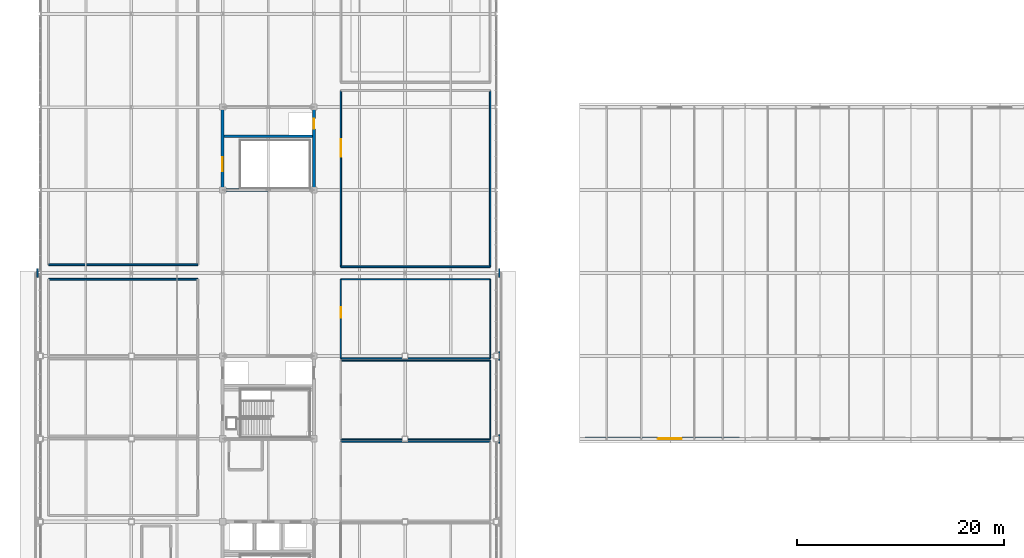
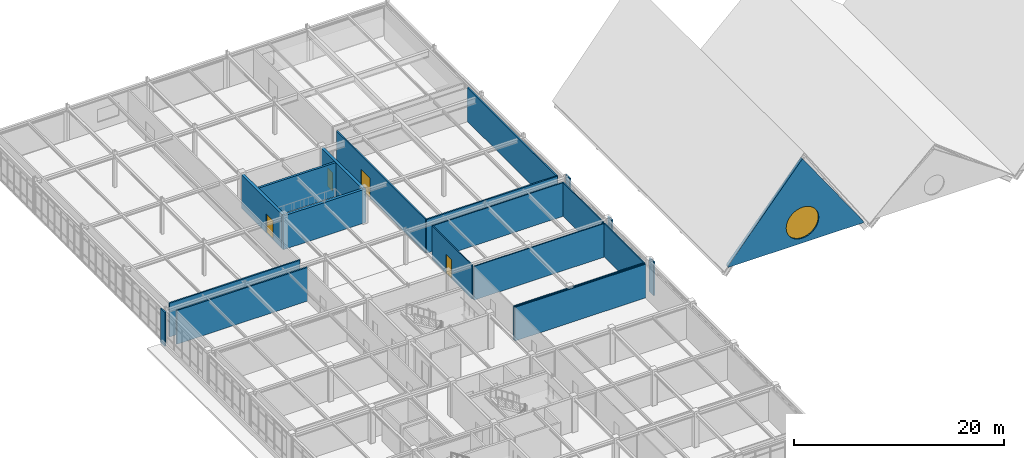
# One storey, part 55 of 64: 22 walls, 4 doors, 1 window, 5 openings.
"""IFC4 building model written with IfcOpenShell, lengths in metres."""

import ifcopenshell
import ifcopenshell.guid

model = None  # the IFC model being written
_history = None  # IfcOwnerHistory: only IFC2X3 demands one
_inside = {}  # id of a spatial element -> (the spatial element, [elements in it])
_under = {}  # id of a project, library or spatial element -> (it, [spatial elements below it])
_declared = {}  # id of a project -> (the project, [libraries it declares])
_typed = {}  # id of a type object -> (the type object, [elements of that type])
_made_of = {}  # id of a material, layer set ... -> (it, [elements and type objects made of it])


def new_model(schema):
    """Start an empty IFC model of exactly this schema.

    Asked for "IFC4X3", IfcOpenShell would pick the latest addendum, in which some entities
    have other attributes; the version numbers below select the first issue.
    IFC2X3 requires an IfcOwnerHistory on every rooted entity: one is made here for all.
    """
    global model, _history
    if schema == "IFC4X3":
        model = ifcopenshell.file(schema_version=(4, 3, 0, 0))
    else:
        model = ifcopenshell.file(schema=schema)
    _inside.clear()
    _under.clear()
    _declared.clear()
    _typed.clear()
    _made_of.clear()
    _history = None
    if model.schema == "IFC2X3":
        org = make("IfcOrganization", Name="unknown")
        user = make(
            "IfcPersonAndOrganization",
            ThePerson=make("IfcPerson", FamilyName="unknown"),
            TheOrganization=org,
        )
        app = make(
            "IfcApplication",
            ApplicationDeveloper=org,
            Version="unknown",
            ApplicationFullName="unknown",
            ApplicationIdentifier="unknown",
        )
        _history = make(
            "IfcOwnerHistory",
            OwningUser=user,
            OwningApplication=app,
            ChangeAction="ADDED",
            CreationDate=0,
        )
    return model


def make(cls, **values):
    """One entity of the class cls with the attributes given. An attribute that is None is left unset."""
    return model.create_entity(
        cls, **{name: value for name, value in values.items() if value is not None}
    )


def rooted(cls, **values):
    """An entity with a GlobalId (a new one), such as an element, a storey or a relation."""
    return make(cls, GlobalId=ifcopenshell.guid.new(), OwnerHistory=_history, **values)


def si_unit(unit_type, name, prefix=None):
    """IfcSIUnit, for example si_unit("LENGTHUNIT", "METRE", prefix="MILLI")."""
    return make("IfcSIUnit", UnitType=unit_type, Prefix=prefix, Name=name)


def assignment(units):
    """IfcUnitAssignment: the units of a project."""
    return None if units is None else make("IfcUnitAssignment", Units=units)


def point(xyz):
    """IfcCartesianPoint."""
    return None if xyz is None else make("IfcCartesianPoint", Coordinates=xyz)


def direction(xyz):
    """IfcDirection."""
    return None if xyz is None else make("IfcDirection", DirectionRatios=xyz)


def frame(location, z_axis=None, x_axis=None):
    """IfcAxis2Placement3D, a coordinate frame: its origin and axes. An axis left out is left unset."""
    return make(
        "IfcAxis2Placement3D",
        Location=point(location),
        Axis=direction(z_axis),
        RefDirection=direction(x_axis),
    )


def frame_2d(location, x_axis=None):
    """IfcAxis2Placement2D, a coordinate frame in the plane: its origin and x axis."""
    return make(
        "IfcAxis2Placement2D", Location=point(location), RefDirection=direction(x_axis)
    )


def origin():
    """The frame at (0, 0, 0) with its axes left unset."""
    return frame((0.0, 0.0, 0.0))


def place(relative_to, where):
    """IfcLocalPlacement: puts the frame where relative to a parent placement (None: the world)."""
    return make(
        "IfcLocalPlacement", PlacementRelTo=relative_to, RelativePlacement=where
    )


def context(
    kind, dimensions, precision=None, world=None, true_north=None, identifier=None
):
    """IfcGeometricRepresentationContext, for example the 3D "Model" context."""
    return make(
        "IfcGeometricRepresentationContext",
        ContextIdentifier=identifier,
        ContextType=kind,
        CoordinateSpaceDimension=dimensions,
        Precision=precision,
        WorldCoordinateSystem=world,
        TrueNorth=true_north,
    )


def subcontext(parent, identifier, kind, view, scale=None):
    """IfcGeometricRepresentationSubContext, for example "Body" below "Model"."""
    return make(
        "IfcGeometricRepresentationSubContext",
        ContextIdentifier=identifier,
        ContextType=kind,
        ParentContext=parent,
        TargetScale=scale,
        TargetView=view,
    )


def project(units=None, contexts=None):
    """IfcProject with its units and contexts."""
    return rooted(
        "IfcProject",
        Name="project",
        RepresentationContexts=contexts,
        UnitsInContext=assignment(units),
    )


def spatial(cls, under=None, at=None, **own):
    """A site, building, storey or space (cls), placed at a placement, below another one or the project."""
    s = rooted(cls, ObjectPlacement=at, **own)
    if under is not None:
        _under.setdefault(under.id(), (under, []))[1].append(s)
    return s


def polyline(points):
    """IfcPolyline through the points."""
    return make("IfcPolyline", Points=[point(p) for p in points])


def profile(cls, at=None, kind="AREA", **sizes):
    """A parametric profile (cls). Its sizes go by their IFC names, for example OverallWidth=200.0."""
    return make(cls, ProfileType=kind, Position=at, **sizes)


def rectangle(**sizes):
    """IfcRectangleProfileDef."""
    return profile("IfcRectangleProfileDef", **sizes)


def outline(outer, holes=None, kind="AREA"):
    """IfcArbitraryClosedProfileDef: a profile drawn as a closed curve; with holes, ...WithVoids."""
    if holes is None:
        return make("IfcArbitraryClosedProfileDef", ProfileType=kind, OuterCurve=outer)
    return make(
        "IfcArbitraryProfileDefWithVoids",
        ProfileType=kind,
        OuterCurve=outer,
        InnerCurves=holes,
    )


def extrude(swept, where, along, depth):
    """IfcExtrudedAreaSolid: the profile swept, set in the frame where, extruded along a direction by depth."""
    return make(
        "IfcExtrudedAreaSolid",
        SweptArea=swept,
        Position=where,
        ExtrudedDirection=direction(along),
        Depth=depth,
    )


def shape(context_of_items, identifier, shape_type, items):
    """IfcShapeRepresentation: the items that make up one representation, for example the "Body"."""
    return make(
        "IfcShapeRepresentation",
        ContextOfItems=context_of_items,
        RepresentationIdentifier=identifier,
        RepresentationType=shape_type,
        Items=items,
    )


def material(Name=None, Category=None):
    """IfcMaterial."""
    return make("IfcMaterial", Name=Name, Category=Category)


def layer(
    of_material, thickness, ventilated=None, Name=None, Category=None, Priority=None
):
    """IfcMaterialLayer: one layer of a wall or slab, of a material (None: an air gap)."""
    return make(
        "IfcMaterialLayer",
        Material=of_material,
        LayerThickness=thickness,
        IsVentilated=ventilated,
        Name=Name,
        Category=Category,
        Priority=Priority,
    )


def layer_set(layers, Name=None):
    """IfcMaterialLayerSet."""
    return make("IfcMaterialLayerSet", MaterialLayers=layers, LayerSetName=Name)


def made_of(thing, what):
    """Note that an element or type object is made of a material, layer set ...; save() writes the relation."""
    if what is not None:
        _made_of.setdefault(what.id(), (what, []))[1].append(thing)
    return thing


def type_object(cls, material=None, **own):
    """A type object (cls), such as IfcWallType, which elements share."""
    return made_of(rooted(cls, **own), material)


def element(
    cls,
    number,
    at=None,
    inside=None,
    cuts=None,
    type_object=None,
    material=None,
    context=None,
    identifier="Body",
    shape_type=None,
    held_by="IfcProductDefinitionShape",
    body=None,
    shapes=None,
    **own,
):
    """One element of the class cls, such as IfcWall. Its Tag is "e" and its number.

    at: its placement. inside: the storey or other place that contains it. cuts: it is an
    opening in that element (IfcRelVoidsElement). A single representation is given by context,
    identifier, shape_type and body (its items); several are given by shapes. held_by: the class
    of the entity that holds the representations. save() writes the other relations.
    """
    e = rooted(cls, Tag="e%d" % number, ObjectPlacement=at, **own)
    if body is not None:
        shapes = [shape(context, identifier, shape_type, body)]
    if shapes is not None:
        e.Representation = make(held_by, Representations=shapes)
    if inside is not None:
        _inside.setdefault(inside.id(), (inside, []))[1].append(e)
    if cuts is not None:
        rooted(
            "IfcRelVoidsElement", RelatingBuildingElement=cuts, RelatedOpeningElement=e
        )
    if type_object is not None:
        _typed.setdefault(type_object.id(), (type_object, []))[1].append(e)
    return made_of(e, material)


def fill(opening, filler):
    """IfcRelFillsElement: the door or window that sits in an opening."""
    return rooted(
        "IfcRelFillsElement",
        RelatingOpeningElement=opening,
        RelatedBuildingElement=filler,
    )


def aggregate(whole, parts):
    """IfcRelAggregates: a whole, such as a stair, and the parts it consists of."""
    return rooted("IfcRelAggregates", RelatingObject=whole, RelatedObjects=parts)


def save(model, path):
    """Write the relations noted so far, then the file.

    IfcRelAggregates (storeys below a building ...), IfcRelContainedInSpatialStructure (elements
    in a storey), IfcRelDefinesByType, IfcRelAssociatesMaterial and IfcRelDeclares: one each for
    every whole, place, type object, material and project.
    """
    for whole, parts in _under.values():
        aggregate(whole, parts)
    for where, things in _inside.values():
        rooted(
            "IfcRelContainedInSpatialStructure",
            RelatedElements=things,
            RelatingStructure=where,
        )
    for kind, things in _typed.values():
        rooted("IfcRelDefinesByType", RelatedObjects=things, RelatingType=kind)
    for what, things in _made_of.values():
        rooted("IfcRelAssociatesMaterial", RelatedObjects=things, RelatingMaterial=what)
    for by, libraries in _declared.values():
        rooted("IfcRelDeclares", RelatingContext=by, RelatedDefinitions=libraries)
    model.write(path)


model = new_model("IFC4")

# Units and contexts
model_context = context("Model", 3, precision=1e-05, world=origin(), true_north=direction((0.0, 1.0)))
body_context = subcontext(model_context, "Body", "Model", "MODEL_VIEW")
ifc_project = project(units=[si_unit("LENGTHUNIT", "METRE"), si_unit("AREAUNIT", "SQUARE_METRE"), si_unit("VOLUMEUNIT", "CUBIC_METRE"), si_unit("PLANEANGLEUNIT", "RADIAN"), si_unit("MASSUNIT", "GRAM", prefix="KILO")], contexts=[model_context])

# Site, building, storey
site_placement = place(None, origin())
site = spatial("IfcSite", under=ifc_project, at=site_placement, CompositionType="ELEMENT")
building_placement = place(site_placement, origin())
building = spatial("IfcBuilding", under=site, at=building_placement, Name="Zhaolan Boulevard Law Courts", CompositionType="ELEMENT")
storey_placement = place(building_placement, frame((0.0, 0.0, 20.39990234375)))
storey = spatial("IfcBuildingStorey", under=building, at=storey_placement, Name="L04", CompositionType="ELEMENT", Elevation=20.39990234375)

# Wall
ifc_material_1 = material(Name="Concrete C50", Category="concrete")
ifc_layer_1 = layer(ifc_material_1, 0.300048828125)
ifc_layer_set_1 = layer_set([ifc_layer_1])
wall_type_1 = type_object("IfcWallType", Name="CORE SHEAR WALL 300", PredefinedType="SHEAR", material=ifc_layer_set_1)
wall_1_placement = place(storey_placement, frame((17.449951171875, 86.0, 0.0), z_axis=(0.0, 0.0, 1.0), x_axis=(1.0, 0.0, 0.0)))
element("IfcWall", 1, at=wall_1_placement, inside=storey, type_object=wall_type_1, Name="Core Shear Wall CW-L1-L04S", PredefinedType="SHEAR", context=body_context, shape_type="SweptSolid", body=[
    extrude(rectangle(XDim=9.10009765625, YDim=0.300048828125, at=frame_2d((4.550048828125, 0.0))), origin(), (0.0, 0.0, 1.0), 3.920166015625),
])

# Wall, opening, door
wall_2_placement = place(storey_placement, frame((17.60009765625, 86.14990234375, 0.0), z_axis=(0.0, 0.0, 1.0), x_axis=(0.0, 1.0, 0.0)))
wall_2 = element("IfcWall", 2, at=wall_2_placement, inside=storey, type_object=wall_type_1, Name="Core Shear Wall CW-L1-L04W", PredefinedType="SHEAR", context=body_context, shape_type="SweptSolid", body=[
    extrude(rectangle(XDim=7.7001953125, YDim=0.300048828125, at=frame_2d((3.85009765625, 0.0))), origin(), (0.0, 0.0, 1.0), 3.920166015625),
])
opening_1_placement = place(wall_2_placement, frame((1.675048828125, 0.0, 0.0)))
opening_1 = element("IfcOpeningElement", 3, at=opening_1_placement, cuts=wall_2, Name="Opening SD-L04-42", PredefinedType="OPENING", context=body_context, shape_type="SweptSolid", body=[
    extrude(rectangle(XDim=1.35009765625, YDim=2.199951171875, at=frame_2d((0.675048828125, 1.10009765625))), frame((0.0, 0.159912109375, 0.0), z_axis=(0.0, -1.0, 0.0), x_axis=(1.0, 0.0, 0.0)), (0.0, 0.0, 1.0), 0.320068359375),
])
ifc_material_2 = material(Name="Fire-rated steel acoustic door", Category="steel")
door_type_1 = type_object("IfcDoorType", Name="STAIR FIRE 1350X2200 R", OperationType="SINGLE_SWING_RIGHT", PredefinedType="DOOR", material=ifc_material_2)
door_1_placement = place(opening_1_placement, origin())
door_1 = element("IfcDoor", 4, at=door_1_placement, inside=storey, type_object=door_type_1, Name="Smoke-Proof Stairwell Fire Door SD-L04-42", OperationType="SINGLE_SWING_RIGHT", OverallHeight=2.199951171875, OverallWidth=1.35009765625, PredefinedType="DOOR", context=body_context, shape_type="SweptSolid", body=[
    extrude(rectangle(XDim=1.35009765625, YDim=2.199951171875, at=frame_2d((0.675048828125, 1.10009765625))), frame((0.0, 0.02490234375, 0.0), z_axis=(0.0, -1.0, 0.0), x_axis=(1.0, 0.0, 0.0)), (0.0, 0.0, 1.0), 0.050048828125),
])
fill(opening_1, door_1)

wall_3_placement = place(storey_placement, frame((26.39990234375, 86.14990234375, 0.0), z_axis=(0.0, 0.0, 1.0), x_axis=(0.0, 1.0, 0.0)))
wall_3 = element("IfcWall", 5, at=wall_3_placement, inside=storey, type_object=wall_type_1, Name="Core Shear Wall CW-L1-L04E", PredefinedType="SHEAR", context=body_context, shape_type="SweptSolid", body=[
    extrude(rectangle(XDim=7.7001953125, YDim=0.300048828125, at=frame_2d((3.85009765625, 0.0))), origin(), (0.0, 0.0, 1.0), 3.920166015625),
])
opening_2_placement = place(wall_3_placement, frame((5.75, 0.0, 0.0)))
opening_2 = element("IfcOpeningElement", 6, at=opening_2_placement, cuts=wall_3, Name="Opening LD-PL-04-L04", PredefinedType="OPENING", context=body_context, shape_type="SweptSolid", body=[
    extrude(rectangle(XDim=1.0, YDim=2.14990234375, at=frame_2d((0.5, 1.074951171875))), frame((0.0, 0.159912109375, 0.0), z_axis=(0.0, -1.0, 0.0), x_axis=(1.0, 0.0, 0.0)), (0.0, 0.0, 1.0), 0.320068359375),
])
ifc_material_3 = material(Name="Stainless steel sliding landing door", Category="steel")
door_type_2 = type_object("IfcDoorType", Name="LIFT LANDING 1000X2150", OperationType="DOUBLE_DOOR_SLIDING", PredefinedType="DOOR", material=ifc_material_3)
door_2_placement = place(opening_2_placement, origin())
door_2 = element("IfcDoor", 7, at=door_2_placement, inside=storey, type_object=door_type_2, Name="Lift Landing Sliding Door LD-PL-04-L04", OperationType="DOUBLE_DOOR_SLIDING", OverallHeight=2.14990234375, OverallWidth=1.0, PredefinedType="DOOR", context=body_context, shape_type="SweptSolid", body=[
    extrude(rectangle(XDim=1.0, YDim=2.14990234375, at=frame_2d((0.5, 1.074951171875))), frame((0.0, 0.02490234375, 0.0), z_axis=(0.0, -1.0, 0.0), x_axis=(1.0, 0.0, 0.0)), (0.0, 0.0, 1.0), 0.050048828125),
])
fill(opening_2, door_2)

# Walls
ifc_material_4 = material(Name="Concrete C40", Category="concrete")
ifc_layer_2 = layer(ifc_material_4, 0.139892578125)
ifc_layer_set_2 = layer_set([ifc_layer_2])
wall_type_2 = type_object("IfcWallType", Name="EXT WALL ARCH CLAD140", PredefinedType="SOLIDWALL", material=ifc_layer_set_2)
for number, where, z_axis, x_axis, name in (
    (8, (44.280029296875, 61.580078125, 0.0), (0.0, 0.0, 1.0), (0.0, 1.0, 0.0), "Concrete Column Cloak Pier CPR-108"),
    (9, (44.280029296875, 69.580078125, 0.0), (0.0, 0.0, 1.0), (0.0, 1.0, 0.0), "Concrete Column Cloak Pier CPR-110"),
    (10, (-0.280029296875, 77.580078125, 0.0), (0.0, 0.0, 1.0), (0.0, 1.0, 0.0), "Concrete Column Cloak Pier CPR-111"),
    (11, (44.280029296875, 77.580078125, 0.0), (0.0, 0.0, 1.0), (0.0, 1.0, 0.0), "Concrete Column Cloak Pier CPR-112"),
):
    element("IfcWall", number, at=place(storey_placement, frame(where, z_axis=z_axis, x_axis=x_axis)), inside=storey, type_object=wall_type_2, Name=name, PredefinedType="SOLIDWALL", context=body_context, shape_type="SweptSolid", body=[
        extrude(rectangle(XDim=0.83984375, YDim=0.139892578125, at=frame_2d((0.419921875, 0.0))), origin(), (0.0, 0.0, 1.0), 3.940185546875),
    ])

# Wall, opening, window
ifc_material_5 = material(Name="Concrete C40", Category="concrete")
ifc_layer_3 = layer(ifc_material_5, 0.340087890625)
ifc_layer_set_3 = layer_set([ifc_layer_3])
wall_type_3 = type_object("IfcWallType", Name="EXT WALL GABLE340", PredefinedType="SOLIDWALL", material=ifc_layer_set_3)
wall_4_placement = place(storey_placement, frame((52.550048828125, 62.0, 0.22021484375), z_axis=(0.0, 0.0, 1.0), x_axis=(1.0, 0.0, 0.0)))
wall_4 = element("IfcWall", 12, at=wall_4_placement, inside=storey, type_object=wall_type_3, Name="Sculpted Concrete Gable Wall GW-T1S", PredefinedType="SOLIDWALL", context=body_context, shape_type="SweptSolid", body=[
    extrude(outline(polyline([(0.0, 0.0), (14.89990234375, 0.0), (14.89990234375, 0.199951171875), (8.195068359375, 9.7998046875), (0.0, 0.199951171875), (0.0, 0.0)])), frame((0.0, 0.169921875, 0.0), z_axis=(0.0, -1.0, 0.0), x_axis=(1.0, 0.0, 0.0)), (0.0, 0.0, 1.0), 0.340087890625),
])
opening_3_placement = place(wall_4_placement, frame((6.39501953125, 0.0, 0.550048828125)))
opening_3 = element("IfcOpeningElement", 13, at=opening_3_placement, cuts=wall_4, Name="Opening OC-T1S", PredefinedType="OPENING", context=body_context, shape_type="SweptSolid", body=[
    extrude(outline(polyline([(3.60009765625, 1.800048828125), (3.57275390625, 2.112548828125), (3.491455078125, 2.41552734375), (3.35888671875, 2.699951171875), (3.178955078125, 2.95703125), (2.95703125, 3.178955078125), (2.699951171875, 3.35888671875), (2.41552734375, 3.491455078125), (2.112548828125, 3.57275390625), (1.800048828125, 3.60009765625), (1.487548828125, 3.57275390625), (1.184326171875, 3.491455078125), (0.89990234375, 3.35888671875), (0.64306640625, 3.178955078125), (0.421142578125, 2.95703125), (0.2412109375, 2.699951171875), (0.108642578125, 2.41552734375), (0.02734375, 2.112548828125), (0.0, 1.800048828125), (0.02734375, 1.487548828125), (0.108642578125, 1.184326171875), (0.2412109375, 0.89990234375), (0.421142578125, 0.64306640625), (0.64306640625, 0.421142578125), (0.89990234375, 0.2412109375), (1.184326171875, 0.108642578125), (1.487548828125, 0.02734375), (1.800048828125, 0.0), (2.112548828125, 0.02734375), (2.41552734375, 0.108642578125), (2.699951171875, 0.2412109375), (2.95703125, 0.421142578125), (3.178955078125, 0.64306640625), (3.35888671875, 0.89990234375), (3.491455078125, 1.184326171875), (3.57275390625, 1.487548828125), (3.60009765625, 1.800048828125)])), frame((0.0, 0.179931640625, 0.0), z_axis=(0.0, -1.0, 0.0), x_axis=(1.0, 0.0, 0.0)), (0.0, 0.0, 1.0), 0.360107421875),
])
ifc_material_6 = material(Name="Thermally broken aluminium and laminated low-E glass", Category="aluminium")
window_type = type_object("IfcWindowType", Name="OCULUS WINDOW D3600", PartitioningType="SINGLE_PANEL", PredefinedType="WINDOW", material=ifc_material_6)
window_placement = place(opening_3_placement, origin())
window = element("IfcWindow", 14, at=window_placement, inside=storey, type_object=window_type, Name="Circular Gable Oculus Window OC-T1S", OverallHeight=3.60009765625, OverallWidth=3.60009765625, PartitioningType="SINGLE_PANEL", PredefinedType="WINDOW", context=body_context, shape_type="SweptSolid", body=[
    extrude(outline(polyline([(3.60009765625, 1.800048828125), (3.57275390625, 2.112548828125), (3.491455078125, 2.41552734375), (3.35888671875, 2.699951171875), (3.178955078125, 2.95703125), (2.95703125, 3.178955078125), (2.699951171875, 3.35888671875), (2.41552734375, 3.491455078125), (2.112548828125, 3.57275390625), (1.800048828125, 3.60009765625), (1.487548828125, 3.57275390625), (1.184326171875, 3.491455078125), (0.89990234375, 3.35888671875), (0.64306640625, 3.178955078125), (0.421142578125, 2.95703125), (0.2412109375, 2.699951171875), (0.108642578125, 2.41552734375), (0.02734375, 2.112548828125), (0.0, 1.800048828125), (0.02734375, 1.487548828125), (0.108642578125, 1.184326171875), (0.2412109375, 0.89990234375), (0.421142578125, 0.64306640625), (0.64306640625, 0.421142578125), (0.89990234375, 0.2412109375), (1.184326171875, 0.108642578125), (1.487548828125, 0.02734375), (1.800048828125, 0.0), (2.112548828125, 0.02734375), (2.41552734375, 0.108642578125), (2.699951171875, 0.2412109375), (2.95703125, 0.421142578125), (3.178955078125, 0.64306640625), (3.35888671875, 0.89990234375), (3.491455078125, 1.184326171875), (3.57275390625, 1.487548828125), (3.60009765625, 1.800048828125)])), frame((0.0, 0.0400390625, 0.0), z_axis=(0.0, -1.0, 0.0), x_axis=(1.0, 0.0, 0.0)), (0.0, 0.0, 1.0), 0.080078125),
])
fill(opening_3, window)

# Walls
ifc_material_7 = material(Name="Concrete C50", Category="concrete")
ifc_layer_4 = layer(ifc_material_7, 0.239990234375)
ifc_layer_set_4 = layer_set([ifc_layer_4])
wall_type_4 = type_object("IfcWallType", Name="LIFT SHAFT WALL 240", PredefinedType="SHEAR", material=ifc_layer_set_4)
wall_5_placement = place(storey_placement, frame((17.75, 91.179931640625, 0.0), z_axis=(0.0, 0.0, 1.0), x_axis=(1.0, 0.0, 0.0)))
element("IfcWall", 15, at=wall_5_placement, inside=storey, type_object=wall_type_4, Name="Lift Shaft Enclosure Wall L1 (L04)", PredefinedType="SHEAR", context=body_context, shape_type="SweptSolid", body=[
    extrude(rectangle(XDim=8.5, YDim=0.239990234375, at=frame_2d((4.25, 0.0))), origin(), (0.0, 0.0, 1.0), 3.920166015625),
])
ifc_material_8 = material(Name="Fire-rated gypsum stud partition")
ifc_layer_5 = layer(ifc_material_8, 0.159912109375)
ifc_layer_set_5 = layer_set([ifc_layer_5])
wall_type_5 = type_object("IfcWallType", Name="PART WALL CHAMB160", PredefinedType="PARTITIONING", material=ifc_layer_set_5)
for number, where, z_axis, x_axis, name in (
    (16, (0.800048828125, 78.800048828125, 0.0), (0.0, 0.0, 1.0), (1.0, 0.0, 0.0), "Interior Partition PW-L04-580"),
    (17, (29.0, 78.60009765625, 0.0), (0.0, 0.0, 1.0), (1.0, 0.0, 0.0), "Interior Partition PW-L04-583"),
):
    element("IfcWall", number, at=place(storey_placement, frame(where, z_axis=z_axis, x_axis=x_axis)), inside=storey, type_object=wall_type_5, Name=name, PredefinedType="PARTITIONING", context=body_context, shape_type="SweptSolid", body=[
        extrude(rectangle(XDim=14.39990234375, YDim=0.159912109375, at=frame_2d((7.199951171875, 0.0))), origin(), (0.0, 0.0, 1.0), 3.920166015625),
    ])

# Wall, opening, door
wall_6_placement = place(storey_placement, frame((29.0, 95.60009765625, 0.0), z_axis=(0.0, 0.0, 1.0), x_axis=(0.0, -1.0, 0.0)))
wall_6 = element("IfcWall", 18, at=wall_6_placement, inside=storey, type_object=wall_type_5, Name="Interior Partition PW-L04-585", PredefinedType="PARTITIONING", context=body_context, shape_type="SweptSolid", body=[
    extrude(rectangle(XDim=17.0, YDim=0.159912109375, at=frame_2d((8.5, 0.0))), origin(), (0.0, 0.0, 1.0), 3.920166015625),
])
opening_4_placement = place(wall_6_placement, frame((4.7099609375, 0.0, 0.0)))
opening_4 = element("IfcOpeningElement", 19, at=opening_4_placement, cuts=wall_6, Name="Opening ID-L04-182", PredefinedType="OPENING", context=body_context, shape_type="SweptSolid", body=[
    extrude(rectangle(XDim=1.699951171875, YDim=2.300048828125, at=frame_2d((0.85009765625, 1.14990234375))), frame((0.0, 0.08984375, 0.0), z_axis=(0.0, -1.0, 0.0), x_axis=(1.0, 0.0, 0.0)), (0.0, 0.0, 1.0), 0.179931640625),
])
ifc_material_9 = material(Name="Solid-core acoustic oak veneer door")
door_type_3 = type_object("IfcDoorType", Name="LIB DOUBLE 1700X2300", OperationType="DOUBLE_DOOR_SINGLE_SWING", PredefinedType="DOOR", material=ifc_material_9)
door_3_placement = place(opening_4_placement, origin())
door_3 = element("IfcDoor", 20, at=door_3_placement, inside=storey, type_object=door_type_3, Name="Door ID-L04-182 (Jurisprudence Seminar Room)", OperationType="DOUBLE_DOOR_SINGLE_SWING", OverallHeight=2.300048828125, OverallWidth=1.699951171875, PredefinedType="DOOR", context=body_context, shape_type="SweptSolid", body=[
    extrude(rectangle(XDim=1.699951171875, YDim=2.300048828125, at=frame_2d((0.85009765625, 1.14990234375))), frame((0.0, 0.02490234375, 0.0), z_axis=(0.0, -1.0, 0.0), x_axis=(1.0, 0.0, 0.0)), (0.0, 0.0, 1.0), 0.050048828125),
])
fill(opening_4, door_3)

# Walls
wall_7_placement = place(storey_placement, frame((43.39990234375, 78.60009765625, 0.0), z_axis=(0.0, 0.0, 1.0), x_axis=(0.0, 1.0, 0.0)))
element("IfcWall", 21, at=wall_7_placement, inside=storey, type_object=wall_type_5, Name="Interior Partition PW-L04-586", PredefinedType="PARTITIONING", context=body_context, shape_type="SweptSolid", body=[
    extrude(rectangle(XDim=17.0, YDim=0.159912109375, at=frame_2d((8.5, 0.0))), origin(), (0.0, 0.0, 1.0), 3.920166015625),
])
wall_8_placement = place(storey_placement, frame((15.199951171875, 77.39990234375, 0.0), z_axis=(0.0, 0.0, 1.0), x_axis=(-1.0, 0.0, 0.0)))
element("IfcWall", 22, at=wall_8_placement, inside=storey, type_object=wall_type_5, Name="Interior Partition PW-L04-603", PredefinedType="PARTITIONING", context=body_context, shape_type="SweptSolid", body=[
    extrude(rectangle(XDim=14.39990234375, YDim=0.159912109375, at=frame_2d((7.199951171875, 0.0))), origin(), (0.0, 0.0, 1.0), 3.920166015625),
])
ifc_material_10 = material(Name="Gypsum board stud partition")
ifc_layer_6 = layer(ifc_material_10, 0.1201171875)
ifc_layer_set_6 = layer_set([ifc_layer_6])
wall_type_6 = type_object("IfcWallType", Name="PART WALL LIGHT120", PredefinedType="PARTITIONING", material=ifc_layer_set_6)
for number, where, z_axis, x_axis, name in (
    (23, (43.39990234375, 61.72705078125, 0.0), (0.0, 0.0, 1.0), (-1.0, 0.0, 0.0), "Interior Partition PW-L04-619"),
    (24, (29.0, 61.947021484375, 0.0), (0.0, 0.0, 1.0), (1.0, 0.0, 0.0), "Interior Partition PW-L04-622"),
    (25, (43.39990234375, 69.56298828125, 0.0), (0.0, 0.0, 1.0), (-1.0, 0.0, 0.0), "Interior Partition PW-L04-623"),
):
    element("IfcWall", number, at=place(storey_placement, frame(where, z_axis=z_axis, x_axis=x_axis)), inside=storey, type_object=wall_type_6, Name=name, PredefinedType="PARTITIONING", context=body_context, shape_type="SweptSolid", body=[
        extrude(rectangle(XDim=14.39990234375, YDim=0.1201171875, at=frame_2d((7.199951171875, 0.0))), origin(), (0.0, 0.0, 1.0), 3.920166015625),
    ])
wall_9_placement = place(storey_placement, frame((43.39990234375, 61.947021484375, 0.0), z_axis=(0.0, 0.0, 1.0), x_axis=(0.0, 1.0, 0.0)))
element("IfcWall", 26, at=wall_9_placement, inside=storey, type_object=wall_type_6, Name="Interior Partition PW-L04-625", PredefinedType="PARTITIONING", context=body_context, shape_type="SweptSolid", body=[
    extrude(rectangle(XDim=7.615966796875, YDim=0.1201171875, at=frame_2d((3.80810546875, 0.0))), origin(), (0.0, 0.0, 1.0), 3.920166015625),
])
wall_10_placement = place(storey_placement, frame((29.0, 69.782958984375, 0.0), z_axis=(0.0, 0.0, 1.0), x_axis=(1.0, 0.0, 0.0)))
element("IfcWall", 27, at=wall_10_placement, inside=storey, type_object=wall_type_6, Name="Interior Partition PW-L04-626", PredefinedType="PARTITIONING", context=body_context, shape_type="SweptSolid", body=[
    extrude(rectangle(XDim=14.39990234375, YDim=0.1201171875, at=frame_2d((7.199951171875, 0.0))), origin(), (0.0, 0.0, 1.0), 3.546142578125),
])
wall_11_placement = place(storey_placement, frame((43.39990234375, 77.39990234375, 0.0), z_axis=(0.0, 0.0, 1.0), x_axis=(-1.0, 0.0, 0.0)))
element("IfcWall", 28, at=wall_11_placement, inside=storey, type_object=wall_type_6, Name="Interior Partition PW-L04-627", PredefinedType="PARTITIONING", context=body_context, shape_type="SweptSolid", body=[
    extrude(rectangle(XDim=14.39990234375, YDim=0.1201171875, at=frame_2d((7.199951171875, 0.0))), origin(), (0.0, 0.0, 1.0), 3.920166015625),
])

# Wall, opening, door
wall_12_placement = place(storey_placement, frame((29.0, 77.39990234375, 0.0), z_axis=(0.0, 0.0, 1.0), x_axis=(0.0, -1.0, 0.0)))
wall_12 = element("IfcWall", 29, at=wall_12_placement, inside=storey, type_object=wall_type_6, Name="Interior Partition PW-L04-628", PredefinedType="PARTITIONING", context=body_context, shape_type="SweptSolid", body=[
    extrude(rectangle(XDim=7.616943359375, YDim=0.1201171875, at=frame_2d((3.80859375, 0.0))), origin(), (0.0, 0.0, 1.0), 3.920166015625),
])
opening_5_placement = place(wall_12_placement, frame((2.715087890625, 0.0, 0.0)))
opening_5 = element("IfcOpeningElement", 30, at=opening_5_placement, cuts=wall_12, Name="Opening JD-L04-193", PredefinedType="OPENING", context=body_context, shape_type="SweptSolid", body=[
    extrude(rectangle(XDim=0.97998046875, YDim=2.199951171875, at=frame_2d((0.489990234375, 1.10009765625))), frame((0.0, 0.070068359375, 0.0), z_axis=(0.0, -1.0, 0.0), x_axis=(1.0, 0.0, 0.0)), (0.0, 0.0, 1.0), 0.14013671875),
])
ifc_material_11 = material(Name="Solid-core acoustic oak veneer door")
door_type_4 = type_object("IfcDoorType", Name="CHAMBER DOOR 980X2200 R", OperationType="SINGLE_SWING_RIGHT", PredefinedType="DOOR", material=ifc_material_11)
door_4_placement = place(opening_5_placement, origin())
door_4 = element("IfcDoor", 31, at=door_4_placement, inside=storey, type_object=door_type_4, Name="Door JD-L04-193 (Judges' Chambers L04-06)", OperationType="SINGLE_SWING_RIGHT", OverallHeight=2.199951171875, OverallWidth=0.97998046875, PredefinedType="DOOR", context=body_context, shape_type="SweptSolid", body=[
    extrude(rectangle(XDim=0.97998046875, YDim=2.199951171875, at=frame_2d((0.489990234375, 1.10009765625))), frame((0.0, 0.02490234375, 0.0), z_axis=(0.0, -1.0, 0.0), x_axis=(1.0, 0.0, 0.0)), (0.0, 0.0, 1.0), 0.050048828125),
])
fill(opening_5, door_4)

# Wall
wall_13_placement = place(storey_placement, frame((43.39990234375, 69.782958984375, 0.0), z_axis=(0.0, 0.0, 1.0), x_axis=(0.0, 1.0, 0.0)))
element("IfcWall", 32, at=wall_13_placement, inside=storey, type_object=wall_type_6, Name="Interior Partition PW-L04-629", PredefinedType="PARTITIONING", context=body_context, shape_type="SweptSolid", body=[
    extrude(rectangle(XDim=7.616943359375, YDim=0.1201171875, at=frame_2d((3.80859375, 0.0))), origin(), (0.0, 0.0, 1.0), 3.920166015625),
])

save(model, "model.ifc")
